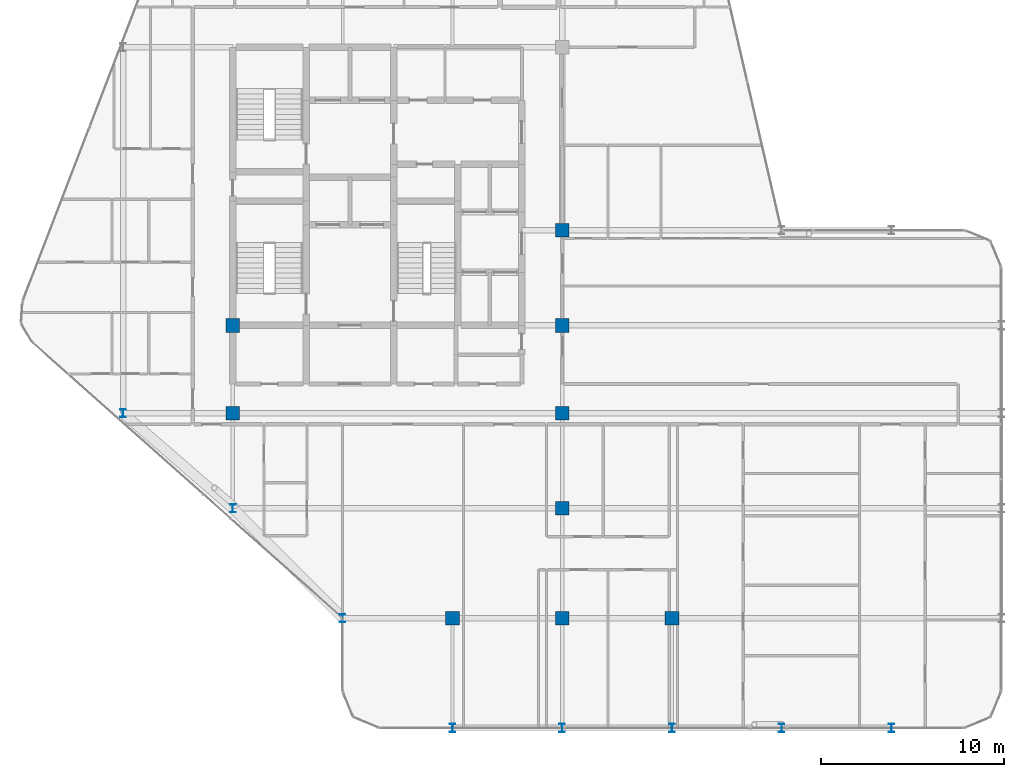
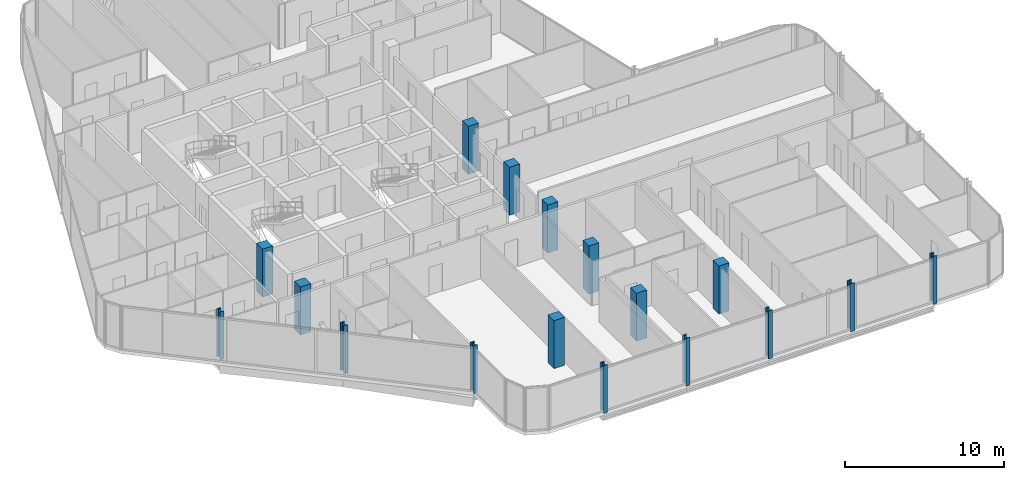
# One storey, part 1 of 29: 17 columns.
"""IFC4 building model written with IfcOpenShell, lengths in metres."""

from ifc_helpers import new_model, si_unit, direction, frame, origin, origin_2d, place, context, subcontext, project, spatial, rectangle, i_section, extrude, material, material_profile, profile_set, type_object, element, save


model = new_model("IFC4")

# Units and contexts
model_context = context("Model", 3, precision=1e-05, world=origin(), true_north=direction((0.0, 1.0)))
body_context = subcontext(model_context, "Body", "Model", "MODEL_VIEW")
ifc_project = project(units=[si_unit("LENGTHUNIT", "METRE"), si_unit("AREAUNIT", "SQUARE_METRE"), si_unit("VOLUMEUNIT", "CUBIC_METRE"), si_unit("PLANEANGLEUNIT", "RADIAN"), si_unit("MASSUNIT", "GRAM", prefix="KILO")], contexts=[model_context])

# Site, building, storey
site_placement = place(None, origin())
site = spatial("IfcSite", under=ifc_project, at=site_placement, CompositionType="ELEMENT")
building_placement = place(site_placement, origin())
building = spatial("IfcBuilding", under=site, at=building_placement, Name="Keshet Zoharim Tower", CompositionType="ELEMENT")
storey_placement = place(building_placement, frame((0.0, 0.0, 206.89990234375)))
storey = spatial("IfcBuildingStorey", under=building, at=storey_placement, Name="L51", CompositionType="ELEMENT", Elevation=206.89990234375)

# Columns
ifc_material_1 = material(Name="Steel S355", Category="steel")
ifc_material_profile_1 = material_profile(ifc_material_1, i_section(OverallWidth=0.300048828125, OverallDepth=0.449951171875, WebThickness=0.013916015625, FlangeThickness=0.02587890625, FilletRadius=0.027099609375, at=origin_2d()), Name="HEB450")
ifc_profile_set_1 = profile_set([ifc_material_profile_1], Name="Steel S355")
column_type_1 = type_object("IfcColumnType", Name="COL-HEB450", PredefinedType="COLUMN", material=ifc_profile_set_1)
for number, where, z_axis, x_axis, name in (
    (1, (9.0, 17.89990234375, 0.0), (0.0, 0.0, 1.0), (1.0, 0.0, 0.0), "L51 Column 2D"),
    (2, (15.0, 12.699951171875, 0.0), (0.0, 0.0, 1.0), (1.0, 0.0, 0.0), "L51 Column 3C"),
    (3, (21.0, 6.699951171875, 0.0), (0.0, 0.0, 1.0), (1.0, 0.0, 0.0), "L51 Column 4B"),
    (4, (27.0, 0.699951171875, 0.0), (0.0, 0.0, 1.0), (1.0, 0.0, 0.0), "L51 Column 5A"),
    (5, (33.0, 0.699951171875, 0.0), (0.0, 0.0, 1.0), (1.0, 0.0, 0.0), "L51 Column 6A"),
    (6, (39.0, 0.699951171875, 0.0), (0.0, 0.0, 1.0), (1.0, 0.0, 0.0), "L51 Column 7A"),
    (7, (45.0, 0.699951171875, 0.0), (0.0, 0.0, 1.0), (1.0, 0.0, 0.0), "L51 Column 8A"),
    (8, (51.0, 0.699951171875, 0.0), (0.0, 0.0, 1.0), (1.0, 0.0, 0.0), "L51 Column 9A"),
):
    element("IfcColumn", number, at=place(storey_placement, frame(where, z_axis=z_axis, x_axis=x_axis)), inside=storey, type_object=column_type_1, Name=name, PredefinedType="COLUMN", context=body_context, shape_type="SweptSolid", body=[
        extrude(i_section(OverallWidth=0.300048828125, OverallDepth=0.449951171875, WebThickness=0.013916015625, FlangeThickness=0.02587890625, FilletRadius=0.027099609375, at=origin_2d()), origin(), (0.0, 0.0, 1.0), 3.7001953125),
    ])
ifc_material_2 = material(Name="Concrete C50/60", Category="concrete")
ifc_material_profile_2 = material_profile(ifc_material_2, rectangle(XDim=0.75, YDim=0.75, at=origin_2d()), Name="RC750x750")
ifc_profile_set_2 = profile_set([ifc_material_profile_2], Name="Concrete C50/60")
column_type_2 = type_object("IfcColumnType", Name="COL-RC750", PredefinedType="COLUMN", material=ifc_profile_set_2)
for number, where, z_axis, x_axis, name in (
    (9, (15.0, 17.89990234375, 0.0), (0.0, 0.0, 1.0), (1.0, 0.0, 0.0), "L51 Column 3D"),
    (10, (15.0, 22.699951171875, 0.0), (0.0, 0.0, 1.0), (1.0, 0.0, 0.0), "L51 Column 3E"),
    (11, (27.0, 6.699951171875, 0.0), (0.0, 0.0, 1.0), (1.0, 0.0, 0.0), "L51 Column 5B"),
    (12, (33.0, 6.699951171875, 0.0), (0.0, 0.0, 1.0), (1.0, 0.0, 0.0), "L51 Column 6B"),
    (13, (33.0, 12.699951171875, 0.0), (0.0, 0.0, 1.0), (1.0, 0.0, 0.0), "L51 Column 6C"),
    (14, (33.0, 17.89990234375, 0.0), (0.0, 0.0, 1.0), (1.0, 0.0, 0.0), "L51 Column 6D"),
    (15, (33.0, 22.699951171875, 0.0), (0.0, 0.0, 1.0), (1.0, 0.0, 0.0), "L51 Column 6E"),
    (16, (33.0, 27.89990234375, 0.0), (0.0, 0.0, 1.0), (1.0, 0.0, 0.0), "L51 Column 6F"),
    (17, (39.0, 6.699951171875, 0.0), (0.0, 0.0, 1.0), (1.0, 0.0, 0.0), "L51 Column 7B"),
):
    element("IfcColumn", number, at=place(storey_placement, frame(where, z_axis=z_axis, x_axis=x_axis)), inside=storey, type_object=column_type_2, Name=name, PredefinedType="COLUMN", context=body_context, shape_type="SweptSolid", body=[
        extrude(rectangle(XDim=0.75, YDim=0.75, at=origin_2d()), origin(), (0.0, 0.0, 1.0), 3.7001953125),
    ])

save(model, "model.ifc")
